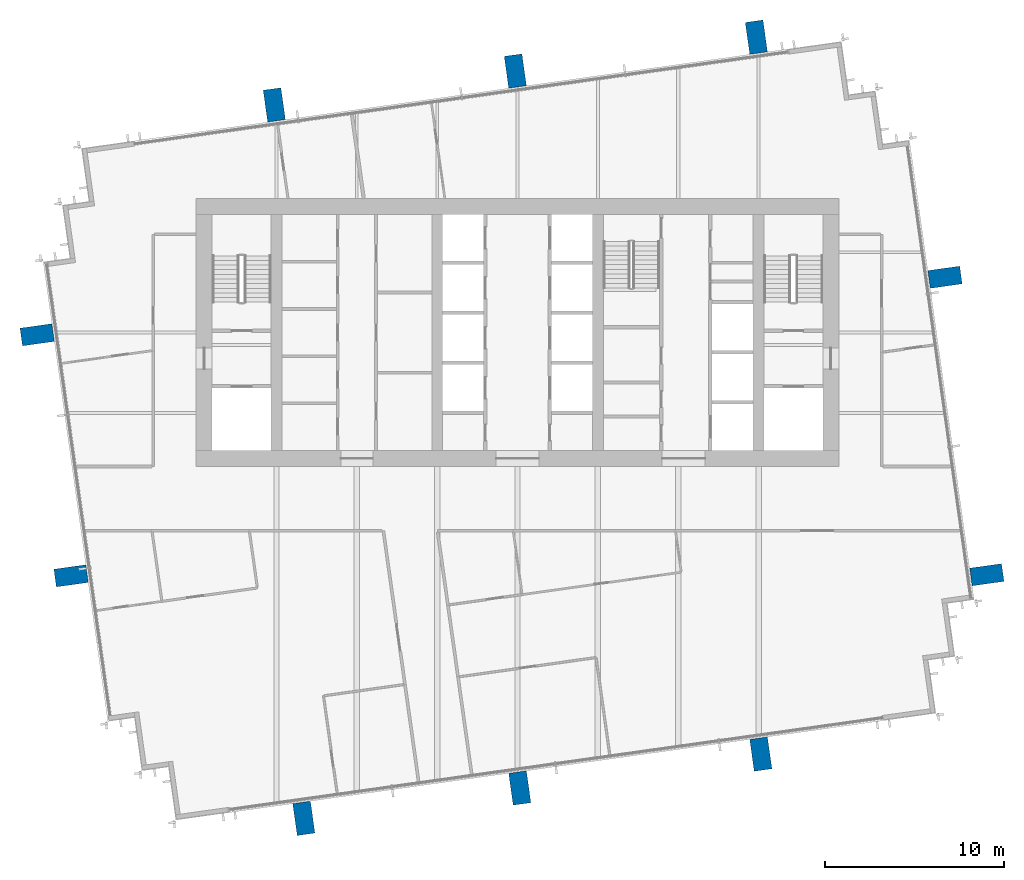
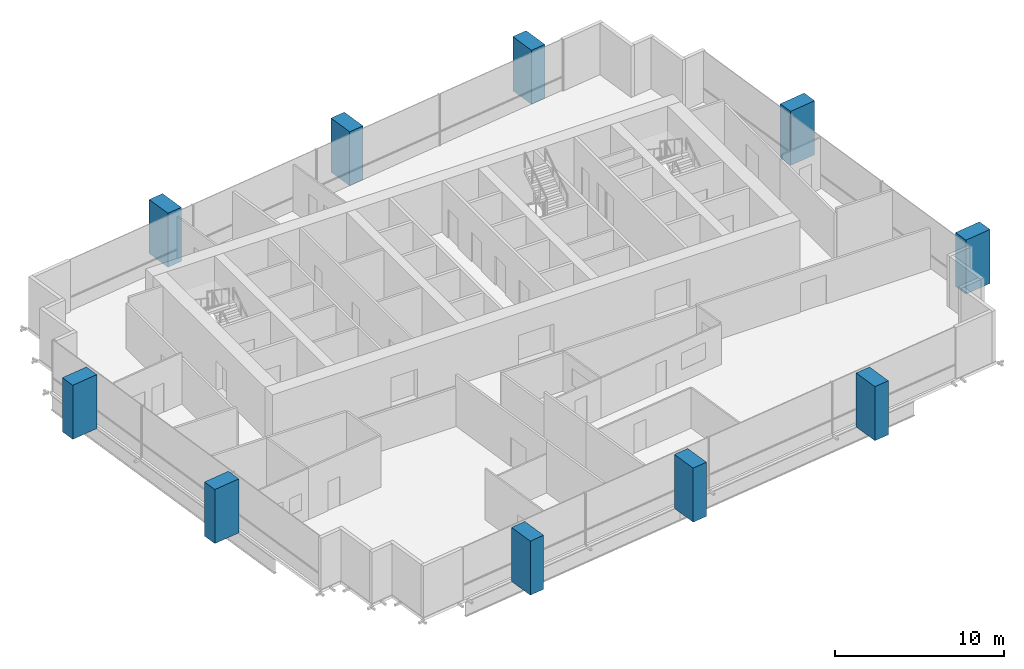
# One storey, part 1 of 12: 10 columns.
"""IFC4 building model written with IfcOpenShell, lengths in metres."""

from ifc_helpers import new_model, si_unit, direction, frame, origin, origin_2d, place, context, subcontext, project, spatial, rectangle, extrude, material, material_profile, profile_set, type_object, element, save


model = new_model("IFC4")

# Units and contexts
model_context = context("Model", 3, precision=1e-05, world=origin(), true_north=direction((0.0, 1.0)))
body_context = subcontext(model_context, "Body", "Model", "MODEL_VIEW")
ifc_project = project(units=[si_unit("LENGTHUNIT", "METRE"), si_unit("AREAUNIT", "SQUARE_METRE"), si_unit("VOLUMEUNIT", "CUBIC_METRE"), si_unit("PLANEANGLEUNIT", "RADIAN"), si_unit("MASSUNIT", "GRAM", prefix="KILO")], contexts=[model_context])

# Site, building, storey
site_placement = place(None, origin())
site = spatial("IfcSite", under=ifc_project, at=site_placement, CompositionType="ELEMENT")
building_placement = place(site_placement, origin())
building = spatial("IfcBuilding", under=site, at=building_placement, Name="Rattan Terrace Tower", CompositionType="ELEMENT")
storey_placement = place(building_placement, frame((0.0, 0.0, 259.0)))
storey = spatial("IfcBuildingStorey", under=building, at=storey_placement, Name="L59", CompositionType="ELEMENT", Elevation=259.0)

# Columns
ifc_material = material(Name="Concrete C40/50", Category="concrete")
ifc_material_profile = material_profile(ifc_material, rectangle(XDim=1.0, YDim=1.800048828125, at=origin_2d()), Name="CFT 1800x1000")
ifc_profile_set = profile_set([ifc_material_profile], Name="Concrete C40/50")
column_type = type_object("IfcColumnType", Name="Frame exoskeleton column CFT 1800x1000", PredefinedType="COLUMN", material=ifc_profile_set)
for number, where, z_axis, x_axis, name in (
    (1, (-11.970947265625, -27.208984375, -0.199951171875), (0.0, 0.0, 1.0), (0.990265639562, 0.139190384377, 0.0), "exo-L59-001"),
    (2, (0.125, -25.508056640625, -0.199951171875), (0.0, 0.0, 1.0), (0.990265639562, 0.139190384377, 0.0), "exo-L59-002"),
    (3, (13.625, -23.610107421875, -0.199951171875), (0.0, 0.0, 1.0), (0.990265639562, 0.139190384377, 0.0), "exo-L59-003"),
    (4, (-25.007080078125, -13.625, -0.199951171875), (0.0, 0.0, 1.0), (-0.139190384377, 0.990265639562, 0.0), "exo-L59-004"),
    (5, (26.283935546875, -13.56494140625, -0.199951171875), (0.0, 0.0, 1.0), (-0.139190384377, 0.990265639562, 0.0), "exo-L59-005"),
    (6, (-26.906005859375, -0.125, -0.199951171875), (0.0, 0.0, 1.0), (-0.139190384377, 0.990265639562, 0.0), "exo-L59-006"),
    (7, (23.94091796875, 3.10009765625, -0.199951171875), (0.0, 0.0, 1.0), (-0.139190384377, 0.990265639562, 0.0), "exo-L59-007"),
    (8, (-13.625, 12.7509765625, -0.199951171875), (0.0, 0.0, 1.0), (0.990265639562, 0.139190384377, 0.0), "exo-L59-008"),
    (9, (-0.125, 14.64794921875, -0.199951171875), (0.0, 0.0, 1.0), (0.990265639562, 0.139190384377, 0.0), "exo-L59-009"),
    (10, (13.375, 16.5458984375, -0.199951171875), (0.0, 0.0, 1.0), (0.990265639562, 0.139190384377, 0.0), "exo-L59-010"),
):
    element("IfcColumn", number, at=place(storey_placement, frame(where, z_axis=z_axis, x_axis=x_axis)), inside=storey, type_object=column_type, Name=name, PredefinedType="COLUMN", context=body_context, shape_type="SweptSolid", body=[
        extrude(rectangle(XDim=1.0, YDim=1.800048828125, at=origin_2d()), origin(), (0.0, 0.0, 1.0), 3.89990234375),
    ])

save(model, "model.ifc")
